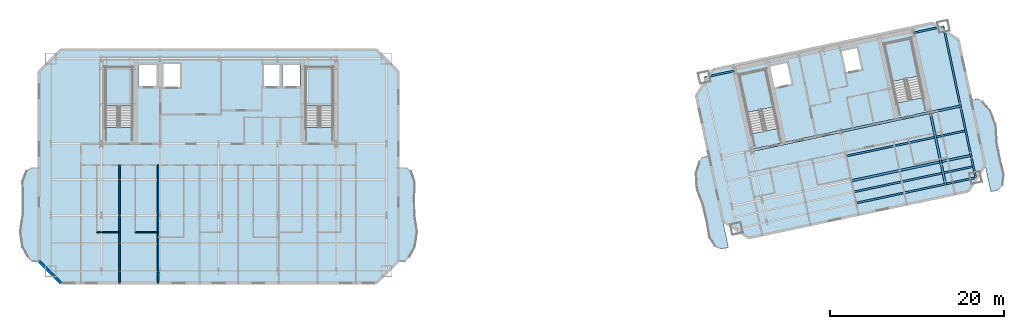
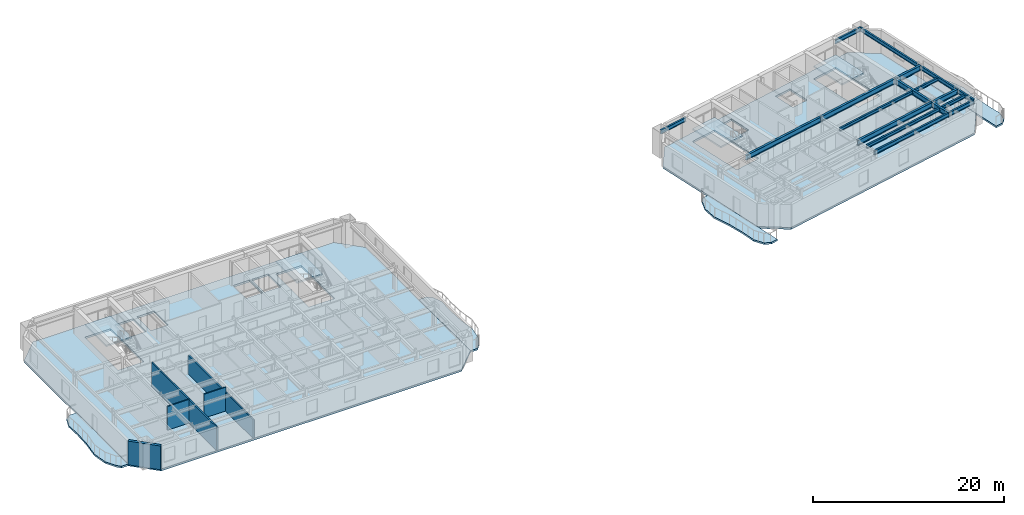
# One storey, part 4 of 14: 18 beams, 10 slabs, 5 walls, 4 elements without a shape of their own.
"""IFC4 building model written with IfcOpenShell, lengths in metres."""

from ifc_helpers import new_model, si_unit, direction, frame, frame_2d, origin, origin_2d, place, context, subcontext, project, spatial, polyline, rectangle, i_section, outline, extrude, material, layer, layer_set, material_profile, profile_set, type_object, element, aggregate, save


model = new_model("IFC4")

# Units and contexts
model_context = context("Model", 3, precision=1e-05, world=origin(), true_north=direction((0.0, 1.0)))
body_context = subcontext(model_context, "Body", "Model", "MODEL_VIEW")
ifc_project = project(units=[si_unit("LENGTHUNIT", "METRE"), si_unit("AREAUNIT", "SQUARE_METRE"), si_unit("VOLUMEUNIT", "CUBIC_METRE"), si_unit("PLANEANGLEUNIT", "RADIAN"), si_unit("MASSUNIT", "GRAM", prefix="KILO")], contexts=[model_context])

# Site, building, storey
site_placement = place(None, origin())
site = spatial("IfcSite", under=ifc_project, at=site_placement, CompositionType="ELEMENT")
building_placement = place(site_placement, origin())
building = spatial("IfcBuilding", under=site, at=building_placement, Name="Haevon Station Towers", CompositionType="ELEMENT")
storey_placement = place(building_placement, frame((0.0, 0.0, 179.10009765625)))
storey = spatial("IfcBuildingStorey", under=building, at=storey_placement, Name="L49", CompositionType="ELEMENT", Elevation=179.10009765625)

# Beams
ifc_material_1 = material(Name="Steel S355", Category="steel")
ifc_material_profile_1 = material_profile(ifc_material_1, i_section(OverallWidth=0.25, OverallDepth=0.64990234375, WebThickness=0.012939453125, FlangeThickness=0.02197265625, at=origin_2d()), Name="H-650x250x13x22")
ifc_profile_set_1 = profile_set([ifc_material_profile_1], Name="Steel S355")
beam_type_1 = type_object("IfcBeamType", Name="BM-G650", PredefinedType="BEAM", material=ifc_profile_set_1)
beam_1_placement = place(storey_placement, frame((110.228759765625, 33.9521484375, 2.724853515625), z_axis=(0.978146794194, 0.207915485254, 0.0), x_axis=(-0.207915485254, 0.978146794194, 0.0)))
element("IfcBeam", 1, at=beam_1_placement, inside=storey, type_object=beam_type_1, Name="BM-T2U-L49-02-03", PredefinedType="BEAM", context=body_context, shape_type="SweptSolid", body=[
    extrude(i_section(OverallWidth=0.25, OverallDepth=0.64990234375, WebThickness=0.012939453125, FlangeThickness=0.02197265625, at=origin_2d()), origin(), (0.0, 0.0, 1.0), 10.5),
])
beam_2_placement = place(storey_placement, frame((120.499267578125, 36.13525390625, 2.724853515625), z_axis=(0.978150285663, 0.207899058817, 0.0), x_axis=(-0.207899058817, 0.978150285663, 0.0)))
element("IfcBeam", 2, at=beam_2_placement, inside=storey, type_object=beam_type_1, Name="BM-T2U-L49-02-04", PredefinedType="BEAM", context=body_context, shape_type="SweptSolid", body=[
    extrude(i_section(OverallWidth=0.25, OverallDepth=0.64990234375, WebThickness=0.012939453125, FlangeThickness=0.02197265625, at=origin_2d()), origin(), (0.0, 0.0, 1.0), 3.550048828125),
])
for number, where, z_axis, x_axis, name in (
    (3, (98.75244140625, 37.4423828125, 2.724853515625), (0.978146794194, 0.207915485254, 0.0), (-0.207915485254, 0.978146794194, 0.0), "BM-T2U-L49-03-02"),
    (4, (109.02294921875, 39.62548828125, 2.724853515625), (0.978146794194, 0.207915485254, 0.0), (-0.207915485254, 0.978146794194, 0.0), "BM-T2U-L49-03-03"),
):
    element("IfcBeam", number, at=place(storey_placement, frame(where, z_axis=z_axis, x_axis=x_axis)), inside=storey, type_object=beam_type_1, Name=name, PredefinedType="BEAM", context=body_context, shape_type="SweptSolid", body=[
        extrude(i_section(OverallWidth=0.25, OverallDepth=0.64990234375, WebThickness=0.012939453125, FlangeThickness=0.02197265625, at=origin_2d()), origin(), (0.0, 0.0, 1.0), 10.5),
    ])
beam_3_placement = place(storey_placement, frame((119.29345703125, 41.80859375, 2.724853515625), z_axis=(0.978150285663, 0.207899058817, 0.0), x_axis=(-0.207899058817, 0.978150285663, 0.0)))
element("IfcBeam", 5, at=beam_3_placement, inside=storey, type_object=beam_type_1, Name="BM-T2U-L49-03-04", PredefinedType="BEAM", context=body_context, shape_type="SweptSolid", body=[
    extrude(i_section(OverallWidth=0.25, OverallDepth=0.64990234375, WebThickness=0.012939453125, FlangeThickness=0.02197265625, at=origin_2d()), origin(), (0.0, 0.0, 1.0), 3.550048828125),
])
beam_4_placement = place(storey_placement, frame((121.0439453125, 33.572509765625, 2.724853515625), z_axis=(-0.207893304367, 0.978151508714, 0.0), x_axis=(-0.978151508714, -0.207893304367, 0.0)))
element("IfcBeam", 6, at=beam_4_placement, inside=storey, type_object=beam_type_1, Name="BM-T2V-L49-04-01", PredefinedType="BEAM", context=body_context, shape_type="SweptSolid", body=[
    extrude(i_section(OverallWidth=0.25, OverallDepth=0.64990234375, WebThickness=0.012939453125, FlangeThickness=0.02197265625, at=origin_2d()), origin(), (0.0, 0.0, 1.0), 2.619873046875),
])
beam_5_placement = place(storey_placement, frame((120.499267578125, 36.13525390625, 2.724853515625), z_axis=(-0.207896009217, 0.97815093383, 0.0), x_axis=(-0.97815093383, -0.207896009217, 0.0)))
element("IfcBeam", 7, at=beam_5_placement, inside=storey, type_object=beam_type_1, Name="BM-T2V-L49-04-02", PredefinedType="BEAM", context=body_context, shape_type="SweptSolid", body=[
    extrude(i_section(OverallWidth=0.25, OverallDepth=0.64990234375, WebThickness=0.012939453125, FlangeThickness=0.02197265625, at=origin_2d()), origin(), (0.0, 0.0, 1.0), 5.800048828125),
])
ifc_material_profile_2 = material_profile(ifc_material_1, i_section(OverallWidth=0.199951171875, OverallDepth=0.39990234375, WebThickness=0.008056640625, FlangeThickness=0.012939453125, at=origin_2d()), Name="H-400x200x8x13")
ifc_profile_set_2 = profile_set([ifc_material_profile_2], Name="Steel S355")
beam_type_2 = type_object("IfcBeamType", Name="BM-J400", PredefinedType="JOIST", material=ifc_profile_set_2)
beam_6_placement = place(storey_placement, frame((110.608642578125, 32.693603515625, 2.849853515625), z_axis=(0.978145509903, 0.207921527161, 0.0), x_axis=(-0.207921527161, 0.978145509903, 0.0)))
element("IfcBeam", 8, at=beam_6_placement, inside=storey, type_object=beam_type_2, Name="BM-T2J-L49-01-03", PredefinedType="JOIST", context=body_context, shape_type="SweptSolid", body=[
    extrude(i_section(OverallWidth=0.199951171875, OverallDepth=0.39990234375, WebThickness=0.008056640625, FlangeThickness=0.012939453125, at=origin_2d()), origin(), (0.0, 0.0, 1.0), 10.280029296875),
])
beam_7_placement = place(storey_placement, frame((120.87939453125, 34.876708984375, 2.849853515625), z_axis=(0.978143382141, 0.207931536748, 0.0), x_axis=(-0.207931536748, 0.978143382141, 0.0)))
element("IfcBeam", 9, at=beam_7_placement, inside=storey, type_object=beam_type_2, Name="BM-T2J-L49-01-04", PredefinedType="JOIST", context=body_context, shape_type="SweptSolid", body=[
    extrude(i_section(OverallWidth=0.199951171875, OverallDepth=0.39990234375, WebThickness=0.008056640625, FlangeThickness=0.012939453125, at=origin_2d()), origin(), (0.0, 0.0, 1.0), 3.329833984375),
])
beam_8_placement = place(storey_placement, frame((109.7333984375, 36.811767578125, 2.849853515625), z_axis=(0.978150339653, 0.207898804801, 0.0), x_axis=(-0.207898804801, 0.978150339653, 0.0)))
element("IfcBeam", 10, at=beam_8_placement, inside=storey, type_object=beam_type_2, Name="BM-T2J-L49-02-03", PredefinedType="JOIST", context=body_context, shape_type="SweptSolid", body=[
    extrude(i_section(OverallWidth=0.199951171875, OverallDepth=0.39990234375, WebThickness=0.008056640625, FlangeThickness=0.012939453125, at=origin_2d()), origin(), (0.0, 0.0, 1.0), 10.280029296875),
])
beam_9_placement = place(storey_placement, frame((120.00390625, 38.994873046875, 2.849853515625), z_axis=(0.978146551768, 0.207916625754, 0.0), x_axis=(-0.207916625754, 0.978146551768, 0.0)))
element("IfcBeam", 11, at=beam_9_placement, inside=storey, type_object=beam_type_2, Name="BM-T2J-L49-02-04", PredefinedType="JOIST", context=body_context, shape_type="SweptSolid", body=[
    extrude(i_section(OverallWidth=0.199951171875, OverallDepth=0.39990234375, WebThickness=0.008056640625, FlangeThickness=0.012939453125, at=origin_2d()), origin(), (0.0, 0.0, 1.0), 3.330078125),
])
ifc_material_profile_3 = material_profile(ifc_material_1, i_section(OverallWidth=0.199951171875, OverallDepth=0.5, WebThickness=0.010009765625, FlangeThickness=0.01611328125, at=origin_2d()), Name="H-500x200x10x16")
ifc_profile_set_3 = profile_set([ifc_material_profile_3], Name="Steel S355")
beam_type_3 = type_object("IfcBeamType", Name="BM-SP500", PredefinedType="SPANDREL", material=ifc_profile_set_3)
beam_10_placement = place(storey_placement, frame((110.7734375, 31.389404296875, 2.7998046875), z_axis=(0.978146794194, 0.207915485254, 0.0), x_axis=(-0.207915485254, 0.978146794194, 0.0)))
element("IfcBeam", 12, at=beam_10_placement, inside=storey, type_object=beam_type_3, Name="BM-T2U-L49-01-03", PredefinedType="SPANDREL", context=body_context, shape_type="SweptSolid", body=[
    extrude(i_section(OverallWidth=0.199951171875, OverallDepth=0.5, WebThickness=0.010009765625, FlangeThickness=0.01611328125, at=origin_2d()), origin(), (0.0, 0.0, 1.0), 10.5),
])
beam_11_placement = place(storey_placement, frame((121.0439453125, 33.572509765625, 2.7998046875), z_axis=(0.978153257847, 0.207885074414, 0.0), x_axis=(-0.207885074414, 0.978153257847, 0.0)))
element("IfcBeam", 13, at=beam_11_placement, inside=storey, type_object=beam_type_3, Name="BM-T2U-L49-01-04", PredefinedType="SPANDREL", context=body_context, shape_type="SweptSolid", body=[
    extrude(i_section(OverallWidth=0.199951171875, OverallDepth=0.5, WebThickness=0.010009765625, FlangeThickness=0.01611328125, at=origin_2d()), origin(), (0.0, 0.0, 1.0), 3.55029296875),
])
beam_12_placement = place(storey_placement, frame((93.3359375, 45.85009765625, 2.7998046875), z_axis=(0.978150285663, 0.207899058817, 0.0), x_axis=(-0.207899058817, 0.978150285663, 0.0)))
element("IfcBeam", 14, at=beam_12_placement, inside=storey, type_object=beam_type_3, Name="BM-T2U-L49-04-01", PredefinedType="SPANDREL", context=body_context, shape_type="SweptSolid", body=[
    extrude(i_section(OverallWidth=0.199951171875, OverallDepth=0.5, WebThickness=0.010009765625, FlangeThickness=0.01611328125, at=origin_2d()), origin(), (0.0, 0.0, 1.0), 3.550048828125),
])
beam_13_placement = place(storey_placement, frame((117.349365234375, 50.954345703125, 2.7998046875), z_axis=(0.978153257847, 0.207885074414, 0.0), x_axis=(-0.207885074414, 0.978153257847, 0.0)))
element("IfcBeam", 15, at=beam_13_placement, inside=storey, type_object=beam_type_3, Name="BM-T2U-L49-04-04", PredefinedType="SPANDREL", context=body_context, shape_type="SweptSolid", body=[
    extrude(i_section(OverallWidth=0.199951171875, OverallDepth=0.5, WebThickness=0.010009765625, FlangeThickness=0.01611328125, at=origin_2d()), origin(), (0.0, 0.0, 1.0), 3.55029296875),
])
beam_14_placement = place(storey_placement, frame((124.5166015625, 34.310546875, 2.7998046875), z_axis=(-0.207982458313, 0.978132555963, 0.0), x_axis=(-0.978132555963, -0.207982458313, 0.0)))
element("IfcBeam", 16, at=beam_14_placement, inside=storey, type_object=beam_type_3, Name="BM-T2V-L49-05-01", PredefinedType="SPANDREL", context=body_context, shape_type="SweptSolid", body=[
    extrude(i_section(OverallWidth=0.199951171875, OverallDepth=0.5, WebThickness=0.010009765625, FlangeThickness=0.01611328125, at=origin_2d()), origin(), (0.0, 0.0, 1.0), 2.6201171875),
])
beam_15_placement = place(storey_placement, frame((123.9716796875, 36.873291015625, 2.7998046875), z_axis=(-0.207896009217, 0.97815093383, 0.0), x_axis=(-0.97815093383, -0.207896009217, 0.0)))
element("IfcBeam", 17, at=beam_15_placement, inside=storey, type_object=beam_type_3, Name="BM-T2V-L49-05-02", PredefinedType="SPANDREL", context=body_context, shape_type="SweptSolid", body=[
    extrude(i_section(OverallWidth=0.199951171875, OverallDepth=0.5, WebThickness=0.010009765625, FlangeThickness=0.01611328125, at=origin_2d()), origin(), (0.0, 0.0, 1.0), 5.800048828125),
])
beam_16_placement = place(storey_placement, frame((122.765869140625, 42.546630859375, 2.7998046875), z_axis=(-0.207897167074, 0.978150687738, 0.0), x_axis=(-0.978150687738, -0.207897167074, 0.0)))
element("IfcBeam", 18, at=beam_16_placement, inside=storey, type_object=beam_type_3, Name="BM-T2V-L49-05-03", PredefinedType="SPANDREL", context=body_context, shape_type="SweptSolid", body=[
    extrude(i_section(OverallWidth=0.199951171875, OverallDepth=0.5, WebThickness=0.010009765625, FlangeThickness=0.01611328125, at=origin_2d()), origin(), (0.0, 0.0, 1.0), 9.35009765625),
])

# Slabs
ifc_material_2 = material(Name="Concrete C40/50", Category="concrete")
ifc_layer_1 = layer(ifc_material_2, 0.219970703125)
ifc_layer_set_1 = layer_set([ifc_layer_1], Name="Concrete C40/50")
slab_type_1 = type_object("IfcSlabType", Name="SL-BALC220", PredefinedType="FLOOR", material=ifc_layer_set_1)
slab_1_placement = place(storey_placement, frame((0.0, 0.0, -0.22021484375)))
element("IfcSlab", 19, at=slab_1_placement, inside=storey, type_object=slab_type_1, Name="Tower 1 L49 West SCALLOPED BALCONY", PredefinedType="FLOOR", context=body_context, shape_type="SweptSolid", body=[
    extrude(outline(polyline([(16.844970703125, 35.5), (15.9951171875, 35.5), (15.381591796875, 35.0888671875), (14.952880859375, 33.91845703125), (15.00927734375, 32.16650390625), (14.92431640625, 30.10009765625), (14.666259765625, 28.033447265625), (14.952880859375, 26.28173828125), (15.612060546875, 25.111083984375), (15.9951171875, 24.699951171875), (16.844970703125, 24.699951171875), (16.844970703125, 35.5)])), origin(), (0.0, 0.0, 1.0), 0.22021484375),
])
slab_2_placement = place(storey_placement, frame((0.0, 0.0, -0.22021484375)))
element("IfcSlab", 20, at=slab_2_placement, inside=storey, type_object=slab_type_1, Name="Tower 1 L49 East SCALLOPED BALCONY", PredefinedType="FLOOR", context=body_context, shape_type="SweptSolid", body=[
    extrude(outline(polyline([(58.155029296875, 24.699951171875), (59.0048828125, 24.699951171875), (59.387939453125, 25.111083984375), (60.047119140625, 26.28173828125), (60.333740234375, 28.033447265625), (60.07568359375, 30.10009765625), (59.99072265625, 32.16650390625), (60.047119140625, 33.91845703125), (59.618408203125, 35.0888671875), (59.0048828125, 35.5), (58.155029296875, 35.5), (58.155029296875, 24.699951171875)])), origin(), (0.0, 0.0, 1.0), 0.22021484375),
])
slab_3_placement = place(storey_placement, frame((0.0, 0.0, -0.22021484375)))
element("IfcSlab", 21, at=slab_3_placement, inside=storey, type_object=slab_type_1, Name="Tower 2 L49 West SCALLOPED BALCONY", PredefinedType="FLOOR", context=body_context, shape_type="SweptSolid", body=[
    extrude(outline(polyline([(93.8681640625, 36.82861328125), (93.036865234375, 36.65185546875), (92.747802734375, 36.170166015625), (92.34619140625, 34.88818359375), (92.43017578125, 33.114990234375), (93.1123046875, 31.147216796875), (93.625, 29.1435546875), (93.93408203125, 27.418212890625), (94.596923828125, 26.3623046875), (95.2822265625, 26.087890625), (96.11376953125, 26.2646484375), (93.8681640625, 36.82861328125)])), origin(), (0.0, 0.0, 1.0), 0.22021484375),
])
slab_4_placement = place(storey_placement, frame((0.0, 0.0, -0.22021484375)))
element("IfcSlab", 22, at=slab_4_placement, inside=storey, type_object=slab_type_1, Name="Tower 2 L49 East SCALLOPED BALCONY", PredefinedType="FLOOR", context=body_context, shape_type="SweptSolid", body=[
    extrude(outline(polyline([(126.25048828125, 32.67041015625), (127.081787109375, 32.846923828125), (127.59619140625, 33.376708984375), (127.7724609375, 34.61083984375), (127.35302734375, 36.312744140625), (127.00634765625, 38.3515625), (126.829345703125, 40.426513671875), (126.1845703125, 42.08056640625), (125.29638671875, 43.088623046875), (124.83642578125, 43.4111328125), (124.0048828125, 43.234375), (126.25048828125, 32.67041015625)])), origin(), (0.0, 0.0, 1.0), 0.22021484375),
])

# Stair, slab
stair_type = type_object("IfcStairType", Name="STR-DL1450", PredefinedType="USERDEFINED", material=ifc_material_2)
stair_1_placement = place(storey_placement, origin())
stair_1 = element("IfcStair", 23, at=stair_1_placement, inside=storey, type_object=stair_type, Name="L49 Escape Stair ST1", ObjectType="TWO_RETURN_STAIR", PredefinedType="USERDEFINED")
ifc_layer_2 = layer(ifc_material_2, 0.199951171875)
ifc_layer_set_2 = layer_set([ifc_layer_2], Name="Concrete C40/50")
slab_type_2 = type_object("IfcSlabType", Name="SL-LND200", PredefinedType="LANDING", material=ifc_layer_set_2)
slab_5_placement = place(storey_placement, frame((0.0, 0.0, 1.449951171875)))
slab_5 = element("IfcSlab", 24, at=slab_5_placement, type_object=slab_type_2, Name="L49 ST1 Half Landing 1", PredefinedType="LANDING", context=body_context, shape_type="SweptSolid", body=[
    extrude(outline(polyline([(27.580078125, 42.56396484375), (27.580078125, 47.0), (24.47998046875, 47.0), (24.47998046875, 42.56396484375), (27.580078125, 42.56396484375)])), origin(), (0.0, 0.0, 1.0), 0.199951171875),
])
aggregate(stair_1, [slab_5])

stair_2_placement = place(storey_placement, origin())
stair_2 = element("IfcStair", 25, at=stair_2_placement, inside=storey, type_object=stair_type, Name="L49 Escape Stair ST2", ObjectType="TWO_RETURN_STAIR", PredefinedType="USERDEFINED")
slab_6_placement = place(storey_placement, frame((0.0, 0.0, 1.449951171875)))
slab_6 = element("IfcSlab", 26, at=slab_6_placement, type_object=slab_type_2, Name="L49 ST2 Half Landing 1", PredefinedType="LANDING", context=body_context, shape_type="SweptSolid", body=[
    extrude(outline(polyline([(50.6201171875, 42.56396484375), (50.6201171875, 47.0), (47.52001953125, 47.0), (47.52001953125, 42.56396484375), (50.6201171875, 42.56396484375)])), origin(), (0.0, 0.0, 1.0), 0.199951171875),
])
aggregate(stair_2, [slab_6])

stair_3_placement = place(storey_placement, origin())
stair_3 = element("IfcStair", 27, at=stair_3_placement, inside=storey, type_object=stair_type, Name="L49 Escape Stair ST3", ObjectType="TWO_RETURN_STAIR", PredefinedType="USERDEFINED")
slab_7_placement = place(storey_placement, frame((0.0, 0.0, 1.449951171875)))
slab_7 = element("IfcSlab", 28, at=slab_7_placement, type_object=slab_type_2, Name="L49 ST3 Half Landing 1", PredefinedType="LANDING", context=body_context, shape_type="SweptSolid", body=[
    extrude(outline(polyline([(101.2880859375, 42.44287109375), (100.36572265625, 46.781982421875), (97.33349609375, 46.137451171875), (98.255859375, 41.79833984375), (101.2880859375, 42.44287109375)])), origin(), (0.0, 0.0, 1.0), 0.199951171875),
])
aggregate(stair_3, [slab_7])

stair_4_placement = place(storey_placement, origin())
stair_4 = element("IfcStair", 29, at=stair_4_placement, inside=storey, type_object=stair_type, Name="L49 Escape Stair ST4", ObjectType="TWO_RETURN_STAIR", PredefinedType="USERDEFINED")
slab_8_placement = place(storey_placement, frame((0.0, 0.0, 1.449951171875)))
slab_8 = element("IfcSlab", 30, at=slab_8_placement, type_object=slab_type_2, Name="L49 ST4 Half Landing 1", PredefinedType="LANDING", context=body_context, shape_type="SweptSolid", body=[
    extrude(outline(polyline([(117.975341796875, 45.989990234375), (117.052978515625, 50.328857421875), (114.020751953125, 49.684326171875), (114.943115234375, 45.345458984375), (117.975341796875, 45.989990234375)])), origin(), (0.0, 0.0, 1.0), 0.199951171875),
])
aggregate(stair_4, [slab_8])

# Slabs
ifc_layer_3 = layer(ifc_material_2, 0.25)
ifc_layer_set_3 = layer_set([ifc_layer_3], Name="Concrete C40/50")
slab_type_3 = type_object("IfcSlabType", Name="SL-TW250", PredefinedType="FLOOR", material=ifc_layer_set_3)
slab_9_placement = place(storey_placement, frame((0.0, 0.0, -0.25)))
element("IfcSlab", 31, at=slab_9_placement, inside=storey, type_object=slab_type_3, Name="SL-T1-L49", PredefinedType="FLOOR", context=body_context, shape_type="SweptSolid", body=[
    extrude(outline(polyline([(19.35009765625, 22.199951171875), (55.64990234375, 22.199951171875), (58.14990234375, 24.699951171875), (58.14990234375, 46.5), (55.64990234375, 49.0), (19.35009765625, 49.0), (16.85009765625, 46.5), (16.85009765625, 24.699951171875), (19.35009765625, 22.199951171875)]), holes=[polyline([(27.580078125, 40.055908203125), (27.580078125, 47.0), (24.47998046875, 47.0), (24.47998046875, 40.055908203125), (27.580078125, 40.055908203125)]), polyline([(50.6201171875, 40.055908203125), (50.6201171875, 47.0), (47.52001953125, 47.0), (47.52001953125, 40.055908203125), (50.6201171875, 40.055908203125)]), polyline([(28.300048828125, 44.699951171875), (30.5, 44.699951171875), (30.5, 47.39990234375), (28.300048828125, 47.39990234375), (28.300048828125, 44.699951171875)]), polyline([(31.050048828125, 44.60009765625), (33.14990234375, 44.60009765625), (33.14990234375, 47.5), (31.050048828125, 47.5), (31.050048828125, 44.60009765625)]), polyline([(42.60009765625, 44.699951171875), (44.60009765625, 44.699951171875), (44.60009765625, 47.39990234375), (42.60009765625, 47.39990234375), (42.60009765625, 44.699951171875)]), polyline([(44.85009765625, 44.699951171875), (46.85009765625, 44.699951171875), (46.85009765625, 47.39990234375), (44.85009765625, 47.39990234375), (44.85009765625, 44.699951171875)])]), origin(), (0.0, 0.0, 1.0), 0.25),
])
slab_10_placement = place(storey_placement, frame((0.0, 0.0, -0.25)))
element("IfcSlab", 32, at=slab_10_placement, inside=storey, type_object=slab_type_3, Name="SL-T2-L49", PredefinedType="FLOOR", context=body_context, shape_type="SweptSolid", body=[
    extrude(outline(polyline([(98.43603515625, 27.386962890625), (123.67236328125, 32.7509765625), (125.597900390625, 35.71630859375), (122.527099609375, 50.163330078125), (119.561767578125, 52.089111328125), (94.32568359375, 46.724853515625), (92.400146484375, 43.759765625), (95.470947265625, 29.3125), (98.43603515625, 27.386962890625)]), holes=[polyline([(101.8095703125, 39.98974609375), (100.36572265625, 46.781982421875), (97.33349609375, 46.137451171875), (98.77734375, 39.34521484375), (101.8095703125, 39.98974609375)]), polyline([(118.496826171875, 43.53662109375), (117.052978515625, 50.328857421875), (114.020751953125, 49.684326171875), (115.464599609375, 42.89208984375), (118.496826171875, 43.53662109375)]), polyline([(101.43212890625, 44.554931640625), (103.486328125, 44.99169921875), (102.9248046875, 47.632568359375), (100.870849609375, 47.196044921875), (101.43212890625, 44.554931640625)]), polyline([(109.55078125, 46.28076171875), (111.507080078125, 46.696533203125), (110.94580078125, 49.33740234375), (108.989501953125, 48.921630859375), (109.55078125, 46.28076171875)])]), origin(), (0.0, 0.0, 1.0), 0.25),
])

# Walls
ifc_material_3 = material(Name="Precast concrete C45/55", Category="concrete")
ifc_layer_4 = layer(ifc_material_3, 0.300048828125)
ifc_layer_set_4 = layer_set([ifc_layer_4], Name="Precast concrete C45/55")
wall_type_1 = type_object("IfcWallType", Name="WL-EXT-PIER300", PredefinedType="SOLIDWALL", material=ifc_layer_set_4)
wall_1_placement = place(storey_placement, frame((19.35009765625, 22.199951171875, 0.0), z_axis=(0.0, 0.0, 1.0), x_axis=(-0.707106781187, 0.707106781187, 0.0)))
element("IfcWall", 33, at=wall_1_placement, inside=storey, type_object=wall_type_1, Name="WL-T1-L49-SWC", PredefinedType="SOLIDWALL", context=body_context, shape_type="SweptSolid", body=[
    extrude(rectangle(XDim=3.53564453125, YDim=0.300048828125, at=frame_2d((1.767822265625, 0.0))), origin(), (0.0, 0.0, 1.0), 3.02978515625),
])
ifc_material_4 = material(Name="Gypsum board on steel stud", Category="steel")
ifc_layer_5 = layer(ifc_material_4, 0.125)
ifc_layer_set_5 = layer_set([ifc_layer_5], Name="Gypsum board on steel stud")
wall_type_2 = type_object("IfcWallType", Name="WL-PRT125", PredefinedType="PARTITIONING", material=ifc_layer_set_5)
for number, where, z_axis, x_axis, name in (
    (34, (23.47998046875, 28.05224609375, 0.0), (0.0, 0.0, 1.0), (1.0, 0.0, 0.0), "WL-T1PT-L49-05"),
    (35, (27.904052734375, 28.05224609375, 0.0), (0.0, 0.0, 1.0), (1.0, 0.0, 0.0), "WL-T1PT-L49-08"),
):
    element("IfcWall", number, at=place(storey_placement, frame(where, z_axis=z_axis, x_axis=x_axis)), inside=storey, type_object=wall_type_2, Name=name, PredefinedType="PARTITIONING", context=body_context, shape_type="SweptSolid", body=[
        extrude(rectangle(XDim=2.64404296875, YDim=0.125, at=frame_2d((1.322021484375, 0.0))), origin(), (0.0, 0.0, 1.0), 3.02978515625),
    ])
ifc_layer_6 = layer(ifc_material_4, 0.159912109375)
ifc_layer_set_6 = layer_set([ifc_layer_6], Name="Gypsum board on steel stud")
wall_type_3 = type_object("IfcWallType", Name="WL-PRT160", PredefinedType="PARTITIONING", material=ifc_layer_set_6)
wall_2_placement = place(storey_placement, frame((26.1240234375, 22.199951171875, 0.0), z_axis=(0.0, 0.0, 1.0), x_axis=(0.0, 1.0, 0.0)))
element("IfcWall", 36, at=wall_2_placement, inside=storey, type_object=wall_type_3, Name="WL-T1PT-L49-07", PredefinedType="PARTITIONING", context=body_context, shape_type="SweptSolid", body=[
    extrude(rectangle(XDim=13.580078125, YDim=0.159912109375, at=frame_2d((6.7900390625, 0.0))), origin(), (0.0, 0.0, 1.0), 3.02978515625),
])
wall_3_placement = place(storey_placement, frame((30.548095703125, 22.199951171875, 0.0), z_axis=(0.0, 0.0, 1.0), x_axis=(0.0, 1.0, 0.0)))
element("IfcWall", 37, at=wall_3_placement, inside=storey, type_object=wall_type_3, Name="WL-T1PT-L49-10", PredefinedType="PARTITIONING", context=body_context, shape_type="SweptSolid", body=[
    extrude(rectangle(XDim=13.580078125, YDim=0.159912109375, at=frame_2d((6.7900390625, 0.0))), origin(), (0.0, 0.0, 1.0), 2.3798828125),
])

save(model, "model.ifc")
